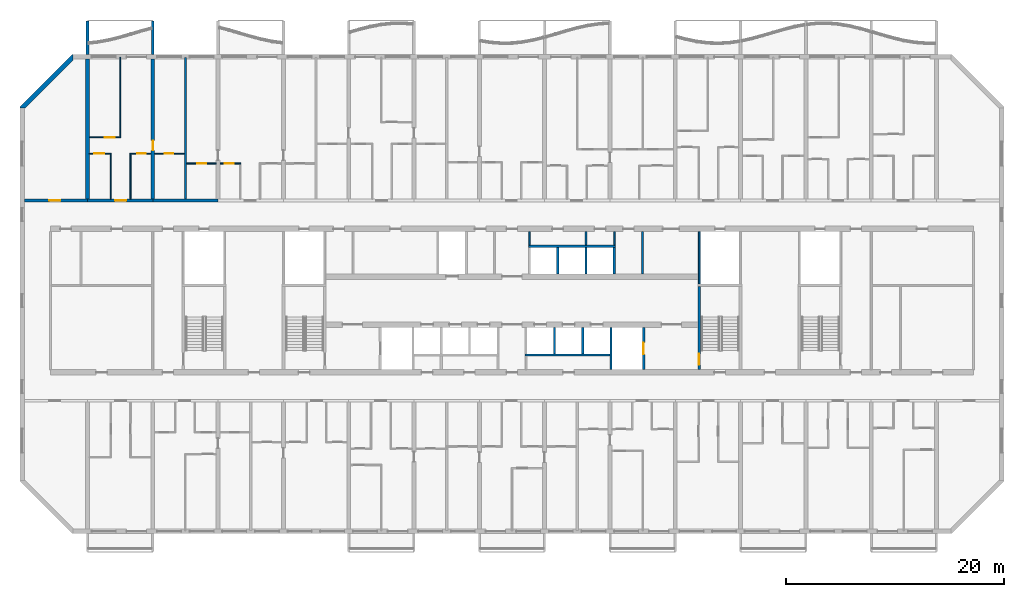
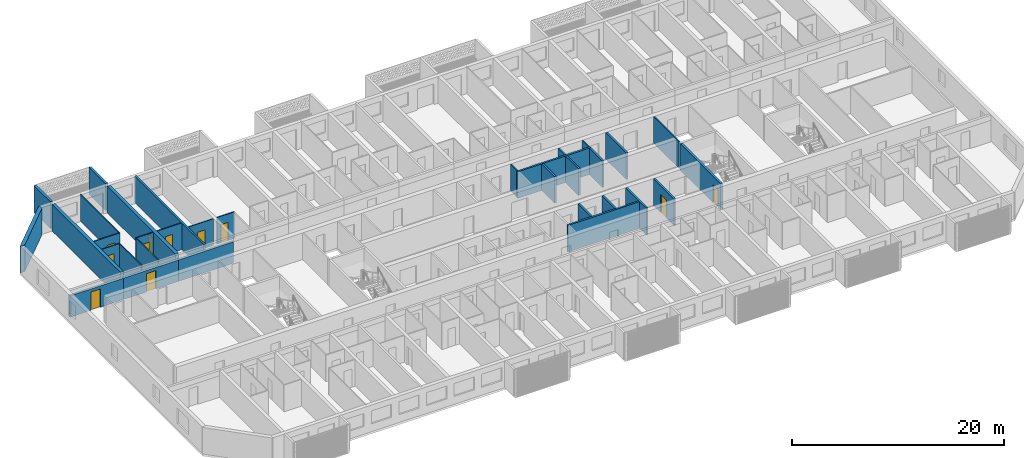
# One storey, part 9 of 27: 33 walls, 11 doors, 11 openings.
"""IFC4 building model written with IfcOpenShell, lengths in metres."""

from ifc_helpers import new_model, si_unit, direction, frame, frame_2d, origin, place, context, subcontext, project, spatial, polyline, rectangle, outline, extrude, source, transform, mapped, material, layer, layer_set, type_object, element, fill, save


model = new_model("IFC4")

# Units and contexts
model_context = context("Model", 3, precision=1e-05, world=origin(), true_north=direction((0.0, 1.0)))
body_context = subcontext(model_context, "Body", "Model", "MODEL_VIEW")
ifc_project = project(units=[si_unit("LENGTHUNIT", "METRE"), si_unit("AREAUNIT", "SQUARE_METRE"), si_unit("VOLUMEUNIT", "CUBIC_METRE"), si_unit("PLANEANGLEUNIT", "RADIAN"), si_unit("MASSUNIT", "GRAM", prefix="KILO")], contexts=[model_context])

# Site, building, storey
site_placement = place(None, origin())
site = spatial("IfcSite", under=ifc_project, at=site_placement, CompositionType="ELEMENT")
building_placement = place(site_placement, origin())
building = spatial("IfcBuilding", under=site, at=building_placement, Name="Poui Terraces", CompositionType="ELEMENT")
storey_placement = place(building_placement, frame((0.0, 0.0, 92.699951171875)))
storey = spatial("IfcBuildingStorey", under=building, at=storey_placement, Name="L25", CompositionType="ELEMENT", Elevation=92.699951171875)

# Wall
ifc_material_1 = material(Name="Fire-rated plasterboard wall")
ifc_layer_1 = layer(ifc_material_1, 0.14990234375)
ifc_layer_set_1 = layer_set([ifc_layer_1], Name="Fire-rated plasterboard wall")
wall_type_1 = type_object("IfcWallType", Name="CORRIDOR WALL 150", PredefinedType="PARTITIONING", material=ifc_layer_set_1)
wall_1_placement = place(storey_placement, frame((52.60009765625, 26.300048828125, 0.0), z_axis=(0.0, 0.0, 1.0), x_axis=(0.0, 1.0, 0.0)))
element("IfcWall", 1, at=wall_1_placement, inside=storey, type_object=wall_type_1, Name="CORRIDOR WALL 150", PredefinedType="PARTITIONING", context=body_context, shape_type="SweptSolid", body=[
    extrude(rectangle(XDim=1.239990234375, YDim=0.14990234375, at=frame_2d((0.6201171875, 0.0))), origin(), (0.0, 0.0, 1.0), 3.06005859375),
])

# Wall, opening, door
ifc_material_2 = material(Name="Concrete 65 MPa", Category="concrete")
ifc_layer_2 = layer(ifc_material_2, 0.25)
ifc_layer_set_2 = layer_set([ifc_layer_2], Name="Concrete 65 MPa")
wall_type_2 = type_object("IfcWallType", Name="CORRIDOR WALL 250 65MPa", PredefinedType="SHEAR", material=ifc_layer_set_2)
wall_2_placement = place(storey_placement, frame((6.199951171875, 30.39990234375, 0.0), z_axis=(0.0, 0.0, 1.0), x_axis=(1.0, 0.0, 0.0)))
wall_2 = element("IfcWall", 2, at=wall_2_placement, inside=storey, type_object=wall_type_2, Name="CORRIDOR WALL LINE E BAY 1", PredefinedType="SHEAR", context=body_context, shape_type="SweptSolid", body=[
    extrude(rectangle(XDim=5.800048828125, YDim=0.25, at=frame_2d((2.89990234375, 0.0))), origin(), (0.0, 0.0, 1.0), 2.4599609375),
])
opening_1_placement = place(wall_2_placement, frame((2.300048828125, 0.0, 0.0)))
opening_1 = element("IfcOpeningElement", 3, at=opening_1_placement, cuts=wall_2, Name="Opening D100", PredefinedType="OPENING", context=body_context, shape_type="SweptSolid", body=[
    extrude(rectangle(XDim=1.0, YDim=2.10009765625, at=frame_2d((0.5, 1.050048828125))), frame((0.0, 0.135009765625, 0.0), z_axis=(0.0, -1.0, 0.0), x_axis=(1.0, 0.0, 0.0)), (0.0, 0.0, 1.0), 0.27001953125),
])
ifc_material_3 = material(Name="Solid core timber door", Category="wood")
door_type_1 = type_object("IfcDoorType", Name="ACCESSIBLE INTERNAL DOOR 1000 X 2100", OperationType="NOTDEFINED", PredefinedType="DOOR", material=ifc_material_3)
door_1_placement = place(opening_1_placement, origin())
door_1 = element("IfcDoor", 4, at=door_1_placement, inside=storey, type_object=door_type_1, Name="ACCESSIBLE INTERNAL DOOR 031", OperationType="SINGLE_SWING_LEFT", OverallHeight=2.10009765625, OverallWidth=1.0, PredefinedType="DOOR", context=body_context, shape_type="SweptSolid", body=[
    extrude(rectangle(XDim=1.0, YDim=2.10009765625, at=frame_2d((0.5, 1.050048828125))), frame((0.0, 0.02490234375, 0.0), z_axis=(0.0, -1.0, 0.0), x_axis=(1.0, 0.0, 0.0)), (0.0, 0.0, 1.0), 0.050048828125),
])
fill(opening_1, door_1)

wall_3_placement = place(storey_placement, frame((12.0, 30.39990234375, 0.0), z_axis=(0.0, 0.0, 1.0), x_axis=(1.0, 0.0, 0.0)))
wall_3 = element("IfcWall", 5, at=wall_3_placement, inside=storey, type_object=wall_type_2, Name="CORRIDOR WALL LINE E BAY 2", PredefinedType="SHEAR", context=body_context, shape_type="SweptSolid", body=[
    extrude(rectangle(XDim=6.0, YDim=0.25, at=frame_2d((3.0, 0.0))), origin(), (0.0, 0.0, 1.0), 2.4599609375),
])
opening_2_placement = place(wall_3_placement, frame((2.550048828125, 0.0, 0.0)))
opening_2 = element("IfcOpeningElement", 6, at=opening_2_placement, cuts=wall_3, Name="Opening FD30S", PredefinedType="OPENING", context=body_context, shape_type="SweptSolid", body=[
    extrude(rectangle(XDim=1.0, YDim=2.10009765625, at=frame_2d((0.5, 1.050048828125))), frame((0.0, 0.135009765625, 0.0), z_axis=(0.0, -1.0, 0.0), x_axis=(1.0, 0.0, 0.0)), (0.0, 0.0, 1.0), 0.27001953125),
])
ifc_material_4 = material(Name="Steel fire door", Category="steel")
door_type_2 = type_object("IfcDoorType", Name="FLAT ENTRANCE DOOR 1000 X 2100", OperationType="NOTDEFINED", PredefinedType="DOOR", material=ifc_material_4)
door_2_placement = place(opening_2_placement, origin())
door_2 = element("IfcDoor", 7, at=door_2_placement, inside=storey, type_object=door_type_2, Name="FLAT ENTRANCE DOOR 035", OperationType="SINGLE_SWING_RIGHT", OverallHeight=2.10009765625, OverallWidth=1.0, PredefinedType="DOOR", context=body_context, shape_type="SweptSolid", body=[
    extrude(rectangle(XDim=1.0, YDim=2.10009765625, at=frame_2d((0.5, 1.050048828125))), frame((0.0, 0.02490234375, 0.0), z_axis=(0.0, -1.0, 0.0), x_axis=(1.0, 0.0, 0.0)), (0.0, 0.0, 1.0), 0.050048828125),
])
fill(opening_2, door_2)

# Walls
wall_4_placement = place(storey_placement, frame((18.0, 30.39990234375, 0.0), z_axis=(0.0, 0.0, 1.0), x_axis=(1.0, 0.0, 0.0)))
element("IfcWall", 8, at=wall_4_placement, inside=storey, type_object=wall_type_2, Name="CORRIDOR WALL LINE E BAY 3", PredefinedType="SHEAR", context=body_context, shape_type="SweptSolid", body=[
    extrude(rectangle(XDim=6.0, YDim=0.25, at=frame_2d((3.0, 0.0))), origin(), (0.0, 0.0, 1.0), 2.4599609375),
])
ifc_layer_3 = layer(ifc_material_2, 0.35009765625)
ifc_layer_set_3 = layer_set([ifc_layer_3], Name="Concrete 65 MPa")
wall_type_3 = type_object("IfcWallType", Name="CROSS WALL 350 65MPa", PredefinedType="SHEAR", material=ifc_layer_set_3)
wall_5_placement = place(storey_placement, frame((12.0, 30.52490234375, 0.0), z_axis=(0.0, 0.0, 1.0), x_axis=(0.0, 1.0, 0.0)))
element("IfcWall", 9, at=wall_5_placement, inside=storey, type_object=wall_type_3, Name="CROSS WALL LINE 3 NORTH", PredefinedType="SHEAR", context=body_context, shape_type="SweptSolid", body=[
    extrude(rectangle(XDim=12.875, YDim=0.35009765625, at=frame_2d((6.4375, 0.0))), origin(), (0.0, 0.0, 1.0), 3.06005859375),
])

# Wall, opening, door
wall_6_placement = place(storey_placement, frame((18.0, 30.52490234375, 0.0), z_axis=(0.0, 0.0, 1.0), x_axis=(0.0, 1.0, 0.0)))
wall_6 = element("IfcWall", 10, at=wall_6_placement, inside=storey, type_object=wall_type_3, Name="CROSS WALL LINE 4 NORTH", PredefinedType="SHEAR", context=body_context, shape_type="SweptSolid", body=[
    extrude(rectangle(XDim=12.875, YDim=0.35009765625, at=frame_2d((6.4375, 0.0))), origin(), (0.0, 0.0, 1.0), 3.06005859375),
])
opening_3_placement = place(wall_6_placement, frame((4.47509765625, 0.0, 0.0)))
opening_3 = element("IfcOpeningElement", 11, at=opening_3_placement, cuts=wall_6, Name="Opening D90", PredefinedType="OPENING", context=body_context, shape_type="SweptSolid", body=[
    extrude(rectangle(XDim=0.89990234375, YDim=2.10009765625, at=frame_2d((0.449951171875, 1.050048828125))), frame((0.0, 0.18505859375, 0.0), z_axis=(0.0, -1.0, 0.0), x_axis=(1.0, 0.0, 0.0)), (0.0, 0.0, 1.0), 0.3701171875),
])
door_type_3 = type_object("IfcDoorType", Name="INTERNAL DOOR 900 X 2100", OperationType="NOTDEFINED", PredefinedType="DOOR", material=ifc_material_3)
door_3_placement = place(opening_3_placement, frame((0.89990234375, 0.0, 0.0), z_axis=(0.0, 0.0, 1.0), x_axis=(-1.0, 0.0, 0.0)))
door_3 = element("IfcDoor", 12, at=door_3_placement, inside=storey, type_object=door_type_3, Name="INTERNAL DOOR 037", OperationType="SINGLE_SWING_RIGHT", OverallHeight=2.10009765625, OverallWidth=0.89990234375, PredefinedType="DOOR", context=body_context, shape_type="SweptSolid", body=[
    extrude(rectangle(XDim=0.89990234375, YDim=2.10009765625, at=frame_2d((0.449951171875, 1.050048828125))), frame((0.0, 0.02490234375, 0.0), z_axis=(0.0, -1.0, 0.0), x_axis=(1.0, 0.0, 0.0)), (0.0, 0.0, 1.0), 0.050048828125),
])
fill(opening_3, door_3)

ifc_material_5 = material(Name="Plasterboard partition")
ifc_layer_4 = layer(ifc_material_5, 0.10009765625)
ifc_layer_set_4 = layer_set([ifc_layer_4], Name="Plasterboard partition")
wall_type_4 = type_object("IfcWallType", Name="FLAT PARTITION 100", PredefinedType="PARTITIONING", material=ifc_layer_set_4)
wall_7_placement = place(storey_placement, frame((21.10009765625, 33.800048828125, 0.0), z_axis=(0.0, 0.0, 1.0), x_axis=(1.0, 0.0, 0.0)))
wall_7 = element("IfcWall", 13, at=wall_7_placement, inside=storey, type_object=wall_type_4, Name="FLAT PARTITION 100", PredefinedType="PARTITIONING", context=body_context, shape_type="SweptSolid", body=[
    extrude(rectangle(XDim=2.71484375, YDim=0.10009765625, at=frame_2d((1.357421875, 0.0))), origin(), (0.0, 0.0, 1.0), 3.06005859375),
])
opening_4_placement = place(wall_7_placement, frame((1.0, 0.0, 0.0)))
opening_4 = element("IfcOpeningElement", 14, at=opening_4_placement, cuts=wall_7, Name="Opening D80", PredefinedType="OPENING", context=body_context, shape_type="SweptSolid", body=[
    extrude(rectangle(XDim=0.800048828125, YDim=2.10009765625, at=frame_2d((0.39990234375, 1.050048828125))), frame((0.0, 0.06005859375, 0.0), z_axis=(0.0, -1.0, 0.0), x_axis=(1.0, 0.0, 0.0)), (0.0, 0.0, 1.0), 0.1201171875),
])
door_type_4 = type_object("IfcDoorType", Name="BATHROOM, LAUNDRY AND STORE DOOR 800 X 2100", OperationType="NOTDEFINED", PredefinedType="DOOR", material=ifc_material_3)
door_4_placement = place(opening_4_placement, frame((0.800048828125, 0.0, 0.0), z_axis=(0.0, 0.0, 1.0), x_axis=(-1.0, 0.0, 0.0)))
door_4 = element("IfcDoor", 15, at=door_4_placement, inside=storey, type_object=door_type_4, Name="BATHROOM, LAUNDRY AND STORE DOOR 038", OperationType="SINGLE_SWING_RIGHT", OverallHeight=2.10009765625, OverallWidth=0.800048828125, PredefinedType="DOOR", context=body_context, shape_type="SweptSolid", body=[
    extrude(rectangle(XDim=0.800048828125, YDim=2.10009765625, at=frame_2d((0.39990234375, 1.050048828125))), frame((0.0, 0.02490234375, 0.0), z_axis=(0.0, -1.0, 0.0), x_axis=(1.0, 0.0, 0.0)), (0.0, 0.0, 1.0), 0.050048828125),
])
fill(opening_4, door_4)

wall_8_placement = place(storey_placement, frame((24.18505859375, 33.800048828125, 0.0), z_axis=(0.0, 0.0, 1.0), x_axis=(1.0, 0.0, 0.0)))
wall_8 = element("IfcWall", 16, at=wall_8_placement, inside=storey, type_object=wall_type_4, Name="FLAT PARTITION 100", PredefinedType="PARTITIONING", context=body_context, shape_type="SweptSolid", body=[
    extrude(rectangle(XDim=1.9150390625, YDim=0.10009765625, at=frame_2d((0.95751953125, 0.0))), origin(), (0.0, 0.0, 1.0), 3.06005859375),
])
opening_5_placement = place(wall_8_placement, frame((0.43994140625, 0.0, 0.0)))
opening_5 = element("IfcOpeningElement", 17, at=opening_5_placement, cuts=wall_8, Name="Opening D80", PredefinedType="OPENING", context=body_context, shape_type="SweptSolid", body=[
    extrude(rectangle(XDim=0.800048828125, YDim=2.10009765625, at=frame_2d((0.39990234375, 1.050048828125))), frame((0.0, 0.06005859375, 0.0), z_axis=(0.0, -1.0, 0.0), x_axis=(1.0, 0.0, 0.0)), (0.0, 0.0, 1.0), 0.1201171875),
])
door_5_placement = place(opening_5_placement, frame((0.800048828125, 0.0, 0.0), z_axis=(0.0, 0.0, 1.0), x_axis=(-1.0, 0.0, 0.0)))
door_5 = element("IfcDoor", 18, at=door_5_placement, inside=storey, type_object=door_type_4, Name="BATHROOM, LAUNDRY AND STORE DOOR 041", OperationType="SINGLE_SWING_LEFT", OverallHeight=2.10009765625, OverallWidth=0.800048828125, PredefinedType="DOOR", context=body_context, shape_type="SweptSolid", body=[
    extrude(rectangle(XDim=0.800048828125, YDim=2.10009765625, at=frame_2d((0.39990234375, 1.050048828125))), frame((0.0, 0.02490234375, 0.0), z_axis=(0.0, -1.0, 0.0), x_axis=(1.0, 0.0, 0.0)), (0.0, 0.0, 1.0), 0.050048828125),
])
fill(opening_5, door_5)

wall_9_placement = place(storey_placement, frame((12.18505859375, 34.699951171875, 0.0), z_axis=(0.0, 0.0, 1.0), x_axis=(1.0, 0.0, 0.0)))
wall_9 = element("IfcWall", 19, at=wall_9_placement, inside=storey, type_object=wall_type_4, Name="FLAT PARTITION 100", PredefinedType="PARTITIONING", context=body_context, shape_type="SweptSolid", body=[
    extrude(rectangle(XDim=2.014892578125, YDim=0.10009765625, at=frame_2d((1.00732421875, 0.0))), origin(), (0.0, 0.0, 1.0), 3.06005859375),
])
opening_6_placement = place(wall_9_placement, frame((0.43994140625, 0.0, 0.0)))
opening_6 = element("IfcOpeningElement", 20, at=opening_6_placement, cuts=wall_9, Name="Opening D90", PredefinedType="OPENING", context=body_context, shape_type="SweptSolid", body=[
    extrude(rectangle(XDim=0.89990234375, YDim=2.10009765625, at=frame_2d((0.449951171875, 1.050048828125))), frame((0.0, 0.06005859375, 0.0), z_axis=(0.0, -1.0, 0.0), x_axis=(1.0, 0.0, 0.0)), (0.0, 0.0, 1.0), 0.1201171875),
])
door_6_placement = place(opening_6_placement, frame((0.89990234375, 0.0, 0.0), z_axis=(0.0, 0.0, 1.0), x_axis=(-1.0, 0.0, 0.0)))
door_6 = element("IfcDoor", 21, at=door_6_placement, inside=storey, type_object=door_type_3, Name="INTERNAL DOOR 033", OperationType="SINGLE_SWING_LEFT", OverallHeight=2.10009765625, OverallWidth=0.89990234375, PredefinedType="DOOR", context=body_context, shape_type="SweptSolid", body=[
    extrude(rectangle(XDim=0.89990234375, YDim=2.10009765625, at=frame_2d((0.449951171875, 1.050048828125))), frame((0.0, 0.02490234375, 0.0), z_axis=(0.0, -1.0, 0.0), x_axis=(1.0, 0.0, 0.0)), (0.0, 0.0, 1.0), 0.050048828125),
])
fill(opening_6, door_6)

wall_10_placement = place(storey_placement, frame((15.89990234375, 34.699951171875, 0.0), z_axis=(0.0, 0.0, 1.0), x_axis=(1.0, 0.0, 0.0)))
wall_10 = element("IfcWall", 22, at=wall_10_placement, inside=storey, type_object=wall_type_4, Name="FLAT PARTITION 100", PredefinedType="PARTITIONING", context=body_context, shape_type="SweptSolid", body=[
    extrude(rectangle(XDim=1.9150390625, YDim=0.10009765625, at=frame_2d((0.95751953125, 0.0))), origin(), (0.0, 0.0, 1.0), 3.06005859375),
])
opening_7_placement = place(wall_10_placement, frame((0.675048828125, 0.0, 0.0)))
opening_7 = element("IfcOpeningElement", 23, at=opening_7_placement, cuts=wall_10, Name="Opening D80", PredefinedType="OPENING", context=body_context, shape_type="SweptSolid", body=[
    extrude(rectangle(XDim=0.800048828125, YDim=2.10009765625, at=frame_2d((0.39990234375, 1.050048828125))), frame((0.0, 0.06005859375, 0.0), z_axis=(0.0, -1.0, 0.0), x_axis=(1.0, 0.0, 0.0)), (0.0, 0.0, 1.0), 0.1201171875),
])
door_7_placement = place(opening_7_placement, frame((0.800048828125, 0.0, 0.0), z_axis=(0.0, 0.0, 1.0), x_axis=(-1.0, 0.0, 0.0)))
door_7 = element("IfcDoor", 24, at=door_7_placement, inside=storey, type_object=door_type_4, Name="BATHROOM, LAUNDRY AND STORE DOOR 036", OperationType="SINGLE_SWING_RIGHT", OverallHeight=2.10009765625, OverallWidth=0.800048828125, PredefinedType="DOOR", context=body_context, shape_type="SweptSolid", body=[
    extrude(rectangle(XDim=0.800048828125, YDim=2.10009765625, at=frame_2d((0.39990234375, 1.050048828125))), frame((0.0, 0.02490234375, 0.0), z_axis=(0.0, -1.0, 0.0), x_axis=(1.0, 0.0, 0.0)), (0.0, 0.0, 1.0), 0.050048828125),
])
fill(opening_7, door_7)

wall_11_placement = place(storey_placement, frame((18.18505859375, 34.699951171875, 0.0), z_axis=(0.0, 0.0, 1.0), x_axis=(1.0, 0.0, 0.0)))
wall_11 = element("IfcWall", 25, at=wall_11_placement, inside=storey, type_object=wall_type_4, Name="FLAT PARTITION 100", PredefinedType="PARTITIONING", context=body_context, shape_type="SweptSolid", body=[
    extrude(rectangle(XDim=2.71484375, YDim=0.10009765625, at=frame_2d((1.357421875, 0.0))), origin(), (0.0, 0.0, 1.0), 3.06005859375),
])
opening_8_placement = place(wall_11_placement, frame((0.9150390625, 0.0, 0.0)))
opening_8 = element("IfcOpeningElement", 26, at=opening_8_placement, cuts=wall_11, Name="Opening D80", PredefinedType="OPENING", context=body_context, shape_type="SweptSolid", body=[
    extrude(rectangle(XDim=0.800048828125, YDim=2.10009765625, at=frame_2d((0.39990234375, 1.050048828125))), frame((0.0, 0.06005859375, 0.0), z_axis=(0.0, -1.0, 0.0), x_axis=(1.0, 0.0, 0.0)), (0.0, 0.0, 1.0), 0.1201171875),
])
door_8_placement = place(opening_8_placement, frame((0.800048828125, 0.0, 0.0), z_axis=(0.0, 0.0, 1.0), x_axis=(-1.0, 0.0, 0.0)))
door_8 = element("IfcDoor", 27, at=door_8_placement, inside=storey, type_object=door_type_4, Name="BATHROOM, LAUNDRY AND STORE DOOR 032", OperationType="SINGLE_SWING_LEFT", OverallHeight=2.10009765625, OverallWidth=0.800048828125, PredefinedType="DOOR", context=body_context, shape_type="SweptSolid", body=[
    extrude(rectangle(XDim=0.800048828125, YDim=2.10009765625, at=frame_2d((0.39990234375, 1.050048828125))), frame((0.0, 0.02490234375, 0.0), z_axis=(0.0, -1.0, 0.0), x_axis=(1.0, 0.0, 0.0)), (0.0, 0.0, 1.0), 0.050048828125),
])
fill(opening_8, door_8)

wall_12_placement = place(storey_placement, frame((12.18505859375, 36.199951171875, 0.0), z_axis=(0.0, 0.0, 1.0), x_axis=(1.0, 0.0, 0.0)))
wall_12 = element("IfcWall", 28, at=wall_12_placement, inside=storey, type_object=wall_type_4, Name="FLAT PARTITION 100", PredefinedType="PARTITIONING", context=body_context, shape_type="SweptSolid", body=[
    extrude(rectangle(XDim=2.864990234375, YDim=0.10009765625, at=frame_2d((1.4326171875, 0.0))), origin(), (0.0, 0.0, 1.0), 3.06005859375),
])
opening_9_placement = place(wall_12_placement, frame((1.4150390625, 0.0, 0.0)))
opening_9 = element("IfcOpeningElement", 29, at=opening_9_placement, cuts=wall_12, Name="Opening D90", PredefinedType="OPENING", context=body_context, shape_type="SweptSolid", body=[
    extrude(rectangle(XDim=0.89990234375, YDim=2.10009765625, at=frame_2d((0.449951171875, 1.050048828125))), frame((0.0, 0.06005859375, 0.0), z_axis=(0.0, -1.0, 0.0), x_axis=(1.0, 0.0, 0.0)), (0.0, 0.0, 1.0), 0.1201171875),
])
door_9_placement = place(opening_9_placement, frame((0.89990234375, 0.0, 0.0), z_axis=(0.0, 0.0, 1.0), x_axis=(-1.0, 0.0, 0.0)))
door_9 = element("IfcDoor", 30, at=door_9_placement, inside=storey, type_object=door_type_3, Name="INTERNAL DOOR 034", OperationType="SINGLE_SWING_RIGHT", OverallHeight=2.10009765625, OverallWidth=0.89990234375, PredefinedType="DOOR", context=body_context, shape_type="SweptSolid", body=[
    extrude(rectangle(XDim=0.89990234375, YDim=2.10009765625, at=frame_2d((0.449951171875, 1.050048828125))), frame((0.0, 0.02490234375, 0.0), z_axis=(0.0, -1.0, 0.0), x_axis=(1.0, 0.0, 0.0)), (0.0, 0.0, 1.0), 0.050048828125),
])
fill(opening_9, door_9)

# Walls
wall_13_placement = place(storey_placement, frame((14.14990234375, 30.534912109375, 0.0), z_axis=(0.0, 0.0, 1.0), x_axis=(0.0, 1.0, 0.0)))
element("IfcWall", 31, at=wall_13_placement, inside=storey, type_object=wall_type_4, Name="FLAT PARTITION 100", PredefinedType="PARTITIONING", context=body_context, shape_type="SweptSolid", body=[
    extrude(rectangle(XDim=4.114990234375, YDim=0.10009765625, at=frame_2d((2.0576171875, 0.0))), origin(), (0.0, 0.0, 1.0), 3.06005859375),
])
wall_14_placement = place(storey_placement, frame((15.0, 36.25, 0.0), z_axis=(0.0, 0.0, 1.0), x_axis=(0.0, 1.0, 0.0)))
element("IfcWall", 32, at=wall_14_placement, inside=storey, type_object=wall_type_4, Name="FLAT PARTITION 100", PredefinedType="PARTITIONING", context=body_context, shape_type="SweptSolid", body=[
    extrude(rectangle(XDim=7.2900390625, YDim=0.10009765625, at=frame_2d((3.64501953125, 0.0))), origin(), (0.0, 0.0, 1.0), 3.06005859375),
])
wall_15_placement = place(storey_placement, frame((15.949951171875, 30.534912109375, 0.0), z_axis=(0.0, 0.0, 1.0), x_axis=(0.0, 1.0, 0.0)))
element("IfcWall", 33, at=wall_15_placement, inside=storey, type_object=wall_type_4, Name="FLAT PARTITION 100", PredefinedType="PARTITIONING", context=body_context, shape_type="SweptSolid", body=[
    extrude(rectangle(XDim=4.114990234375, YDim=0.10009765625, at=frame_2d((2.0576171875, 0.0))), origin(), (0.0, 0.0, 1.0), 3.06005859375),
])
ifc_material_6 = material(Name="Fire-rated masonry wall", Category="masonry")
ifc_layer_5 = layer(ifc_material_6, 0.199951171875)
ifc_layer_set_5 = layer_set([ifc_layer_5], Name="Fire-rated masonry wall")
wall_type_5 = type_object("IfcWallType", Name="FLAT PARTY WALL 200", PredefinedType="PARTITIONING", material=ifc_layer_set_5)
wall_16_placement = place(storey_placement, frame((21.0, 30.534912109375, 0.0), z_axis=(0.0, 0.0, 1.0), x_axis=(0.0, 1.0, 0.0)))
element("IfcWall", 34, at=wall_16_placement, inside=storey, type_object=wall_type_5, Name="FLAT PARTY WALL 200", PredefinedType="PARTITIONING", context=body_context, shape_type="SweptSolid", body=[
    extrude(rectangle(XDim=13.005126953125, YDim=0.199951171875, at=frame_2d((6.50244140625, 0.0))), origin(), (0.0, 0.0, 1.0), 3.06005859375),
])
ifc_layer_6 = layer(ifc_material_5, 0.14990234375)
ifc_layer_set_6 = layer_set([ifc_layer_6], Name="Plasterboard partition")
wall_type_6 = type_object("IfcWallType", Name="PARTITION WALL 150", PredefinedType="PARTITIONING", material=ifc_layer_set_6)
for number, where, z_axis, x_axis, name in (
    (35, (57.800048828125, 26.300048828125, 0.0), (0.0, 0.0, 1.0), (0.0, 1.0, 0.0), "PARTITION WALL 150"),
    (36, (60.39990234375, 26.300048828125, 0.0), (0.0, 0.0, 1.0), (0.0, 1.0, 0.0), "PARTITION WALL 150"),
):
    element("IfcWall", number, at=place(storey_placement, frame(where, z_axis=z_axis, x_axis=x_axis)), inside=storey, type_object=wall_type_6, Name=name, PredefinedType="PARTITIONING", context=body_context, shape_type="SweptSolid", body=[
        extrude(rectangle(XDim=1.239990234375, YDim=0.14990234375, at=frame_2d((0.6201171875, 0.0))), origin(), (0.0, 0.0, 1.0), 3.06005859375),
    ])
ifc_layer_7 = layer(ifc_material_6, 0.199951171875)
ifc_layer_set_7 = layer_set([ifc_layer_7], Name="Fire-rated masonry wall")
wall_type_7 = type_object("IfcWallType", Name="PLANT ROOM WALL 200", PredefinedType="PARTITIONING", material=ifc_layer_set_7)
wall_17_placement = place(storey_placement, frame((63.0, 23.659912109375, 0.0), z_axis=(0.0, 0.0, 1.0), x_axis=(0.0, 1.0, 0.0)))
element("IfcWall", 37, at=wall_17_placement, inside=storey, type_object=wall_type_7, Name="PLANT ROOM WALL 200", PredefinedType="PARTITIONING", context=body_context, shape_type="SweptSolid", body=[
    extrude(rectangle(XDim=3.880126953125, YDim=0.199951171875, at=frame_2d((1.93994140625, 0.0))), origin(), (0.0, 0.0, 1.0), 3.06005859375),
])
ifc_material_7 = material(Name="Fire-rated plasterboard riser wall")
ifc_layer_8 = layer(ifc_material_7, 0.14990234375)
ifc_layer_set_8 = layer_set([ifc_layer_8], Name="Fire-rated plasterboard riser wall")
wall_type_8 = type_object("IfcWallType", Name="RISER WALL 150", PredefinedType="PARTITIONING", material=ifc_layer_set_8)
wall_18_placement = place(storey_placement, frame((68.199951171875, 22.735107421875, 0.0), z_axis=(0.0, 0.0, 1.0), x_axis=(0.0, 1.0, 0.0)))
element("IfcWall", 38, at=wall_18_placement, inside=storey, type_object=wall_type_8, Name="RISER WALL 150", PredefinedType="PARTITIONING", context=body_context, shape_type="SweptSolid", body=[
    extrude(rectangle(XDim=4.804931640625, YDim=0.14990234375, at=frame_2d((2.40234375, 0.0))), origin(), (0.0, 0.0, 1.0), 3.06005859375),
])
ifc_material_8 = material(Name="Fire-rated masonry shaft wall", Category="masonry")
ifc_layer_9 = layer(ifc_material_8, 0.199951171875)
ifc_layer_set_9 = layer_set([ifc_layer_9], Name="Fire-rated masonry shaft wall")
wall_type_9 = type_object("IfcWallType", Name="SHAFT WALL 200", PredefinedType="PARTITIONING", material=ifc_layer_set_9)
wall_19_placement = place(storey_placement, frame((52.199951171875, 16.199951171875, 0.0), z_axis=(0.0, 0.0, 1.0), x_axis=(1.0, 0.0, 0.0)))
element("IfcWall", 39, at=wall_19_placement, inside=storey, type_object=wall_type_9, Name="SHAFT WALL 200", PredefinedType="PARTITIONING", context=body_context, shape_type="SweptSolid", body=[
    extrude(rectangle(XDim=7.800048828125, YDim=0.199951171875, at=frame_2d((3.89990234375, 0.0))), origin(), (0.0, 0.0, 1.0), 3.06005859375),
])
wall_20_placement = place(storey_placement, frame((52.5, 26.199951171875, 0.0), z_axis=(0.0, 0.0, 1.0), x_axis=(1.0, 0.0, 0.0)))
element("IfcWall", 40, at=wall_20_placement, inside=storey, type_object=wall_type_9, Name="SHAFT WALL 200", PredefinedType="PARTITIONING", context=body_context, shape_type="SweptSolid", body=[
    extrude(rectangle(XDim=8.0, YDim=0.199951171875, at=frame_2d((4.0, 0.0))), origin(), (0.0, 0.0, 1.0), 3.06005859375),
])
wall_21_placement = place(storey_placement, frame((54.89990234375, 16.300048828125, 0.0), z_axis=(0.0, 0.0, 1.0), x_axis=(0.0, 1.0, 0.0)))
element("IfcWall", 41, at=wall_21_placement, inside=storey, type_object=wall_type_9, Name="SHAFT WALL 200", PredefinedType="PARTITIONING", context=body_context, shape_type="SweptSolid", body=[
    extrude(rectangle(XDim=2.43994140625, YDim=0.199951171875, at=frame_2d((1.219970703125, 0.0))), origin(), (0.0, 0.0, 1.0), 3.06005859375),
])
wall_22_placement = place(storey_placement, frame((55.199951171875, 23.659912109375, 0.0), z_axis=(0.0, 0.0, 1.0), x_axis=(0.0, 1.0, 0.0)))
element("IfcWall", 42, at=wall_22_placement, inside=storey, type_object=wall_type_9, Name="SHAFT WALL 200", PredefinedType="PARTITIONING", context=body_context, shape_type="SweptSolid", body=[
    extrude(rectangle(XDim=2.440185546875, YDim=0.199951171875, at=frame_2d((1.22021484375, 0.0))), origin(), (0.0, 0.0, 1.0), 3.06005859375),
])
wall_23_placement = place(storey_placement, frame((57.5, 16.300048828125, 0.0), z_axis=(0.0, 0.0, 1.0), x_axis=(0.0, 1.0, 0.0)))
element("IfcWall", 43, at=wall_23_placement, inside=storey, type_object=wall_type_9, Name="SHAFT WALL 200", PredefinedType="PARTITIONING", context=body_context, shape_type="SweptSolid", body=[
    extrude(rectangle(XDim=2.43994140625, YDim=0.199951171875, at=frame_2d((1.219970703125, 0.0))), origin(), (0.0, 0.0, 1.0), 3.06005859375),
])
wall_24_placement = place(storey_placement, frame((57.800048828125, 23.659912109375, 0.0), z_axis=(0.0, 0.0, 1.0), x_axis=(0.0, 1.0, 0.0)))
element("IfcWall", 44, at=wall_24_placement, inside=storey, type_object=wall_type_9, Name="SHAFT WALL 200", PredefinedType="PARTITIONING", context=body_context, shape_type="SweptSolid", body=[
    extrude(rectangle(XDim=2.440185546875, YDim=0.199951171875, at=frame_2d((1.22021484375, 0.0))), origin(), (0.0, 0.0, 1.0), 3.06005859375),
])
wall_25_placement = place(storey_placement, frame((60.10009765625, 14.860107421875, 0.0), z_axis=(0.0, 0.0, 1.0), x_axis=(0.0, 1.0, 0.0)))
element("IfcWall", 45, at=wall_25_placement, inside=storey, type_object=wall_type_9, Name="SHAFT WALL 200", PredefinedType="PARTITIONING", context=body_context, shape_type="SweptSolid", body=[
    extrude(rectangle(XDim=3.8798828125, YDim=0.199951171875, at=frame_2d((1.93994140625, 0.0))), origin(), (0.0, 0.0, 1.0), 3.06005859375),
])
wall_26_placement = place(storey_placement, frame((60.39990234375, 23.659912109375, 0.0), z_axis=(0.0, 0.0, 1.0), x_axis=(0.0, 1.0, 0.0)))
element("IfcWall", 46, at=wall_26_placement, inside=storey, type_object=wall_type_9, Name="SHAFT WALL 200", PredefinedType="PARTITIONING", context=body_context, shape_type="SweptSolid", body=[
    extrude(rectangle(XDim=2.440185546875, YDim=0.199951171875, at=frame_2d((1.22021484375, 0.0))), origin(), (0.0, 0.0, 1.0), 3.06005859375),
])

# Wall, opening, door
wall_27_placement = place(storey_placement, frame((63.10009765625, 14.860107421875, 0.0), z_axis=(0.0, 0.0, 1.0), x_axis=(0.0, 1.0, 0.0)))
wall_27 = element("IfcWall", 47, at=wall_27_placement, inside=storey, type_object=wall_type_9, Name="SHAFT WALL 200", PredefinedType="PARTITIONING", context=body_context, shape_type="SweptSolid", body=[
    extrude(rectangle(XDim=3.8798828125, YDim=0.199951171875, at=frame_2d((1.93994140625, 0.0))), origin(), (0.0, 0.0, 1.0), 3.06005859375),
])
opening_10_placement = place(wall_27_placement, frame((1.389892578125, 0.0, 0.0)))
opening_10 = element("IfcOpeningElement", 48, at=opening_10_placement, cuts=wall_27, Name="Opening LD", PredefinedType="OPENING", context=body_context, shape_type="SweptSolid", body=[
    extrude(rectangle(XDim=1.10009765625, YDim=2.10009765625, at=frame_2d((0.550048828125, 1.050048828125))), frame((0.0, 0.10986328125, 0.0), z_axis=(0.0, -1.0, 0.0), x_axis=(1.0, 0.0, 0.0)), (0.0, 0.0, 1.0), 0.219970703125),
])
ifc_material_9 = material(Name="Stainless steel sliding door", Category="steel")
door_type_5 = type_object("IfcDoorType", Name="LIFT LANDING DOOR 1100 X 2100", OperationType="DOUBLE_DOOR_SLIDING", PredefinedType="DOOR", material=ifc_material_9)
door_10_placement = place(opening_10_placement, origin())
door_10 = element("IfcDoor", 49, at=door_10_placement, inside=storey, type_object=door_type_5, Name="LANDING DOOR", OperationType="DOUBLE_DOOR_SLIDING", OverallHeight=2.10009765625, OverallWidth=1.10009765625, PredefinedType="DOOR", context=body_context, shape_type="SweptSolid", body=[
    extrude(rectangle(XDim=1.10009765625, YDim=2.10009765625, at=frame_2d((0.550048828125, 1.050048828125))), frame((0.0, 0.02490234375, 0.0), z_axis=(0.0, -1.0, 0.0), x_axis=(1.0, 0.0, 0.0)), (0.0, 0.0, 1.0), 0.050048828125),
])
fill(opening_10, door_10)

ifc_layer_10 = layer(ifc_material_2, 0.25)
ifc_layer_set_10 = layer_set([ifc_layer_10], Name="Concrete 65 MPa")
wall_type_10 = type_object("IfcWallType", Name="STAIR CORE WALL 250 65 MPA", PredefinedType="SOLIDWALL", material=ifc_layer_set_10)
wall_28_placement = place(storey_placement, frame((68.199951171875, 14.85009765625, 0.0), z_axis=(0.0, 0.0, 1.0), x_axis=(0.0, 1.0, 0.0)))
wall_28 = element("IfcWall", 50, at=wall_28_placement, inside=storey, type_object=wall_type_10, Name="STAIR CORE WALL", PredefinedType="SOLIDWALL", context=body_context, shape_type="SweptSolid", body=[
    extrude(rectangle(XDim=7.625, YDim=0.25, at=frame_2d((3.8125, 0.0))), origin(), (0.0, 0.0, 1.0), 3.06005859375),
])
opening_11_placement = place(wall_28_placement, frame((0.449951171875, 0.0, 0.0)))
opening_11 = element("IfcOpeningElement", 51, at=opening_11_placement, cuts=wall_28, Name="Opening FD60S", PredefinedType="OPENING", context=body_context, shape_type="SweptSolid", body=[
    extrude(rectangle(XDim=1.0, YDim=2.10009765625, at=frame_2d((0.5, 1.050048828125))), frame((0.0, 0.135009765625, 0.0), z_axis=(0.0, -1.0, 0.0), x_axis=(1.0, 0.0, 0.0)), (0.0, 0.0, 1.0), 0.27001953125),
])
door_type_6 = type_object("IfcDoorType", Name="STAIR DOOR 1000 X 2100", OperationType="NOTDEFINED", PredefinedType="DOOR", material=ifc_material_4)
door_11_placement = place(opening_11_placement, frame((1.0, 0.0, 0.0), z_axis=(0.0, 0.0, 1.0), x_axis=(-1.0, 0.0, 0.0)))
door_11 = element("IfcDoor", 52, at=door_11_placement, inside=storey, type_object=door_type_6, Name="STAIR DOOR 133", OperationType="SINGLE_SWING_LEFT", OverallHeight=2.10009765625, OverallWidth=1.0, PredefinedType="DOOR", context=body_context, shape_type="SweptSolid", body=[
    extrude(rectangle(XDim=1.0, YDim=2.10009765625, at=frame_2d((0.5, 1.050048828125))), frame((0.0, 0.02490234375, 0.0), z_axis=(0.0, -1.0, 0.0), x_axis=(1.0, 0.0, 0.0)), (0.0, 0.0, 1.0), 0.050048828125),
])
fill(opening_11, door_11)

# Walls
ifc_material_10 = material(Name="Precast concrete 40 MPa", Category="concrete")
ifc_layer_11 = layer(ifc_material_10, 0.39990234375)
ifc_layer_set_11 = layer_set([ifc_layer_11], Name="Precast concrete 40 MPa")
wall_type_11 = type_object("IfcWallType", Name="TERRACOTTA CLAD CHAMFER WALL 400", PredefinedType="STANDARD", material=ifc_layer_set_11)
wall_29_placement = place(storey_placement, origin())
element("IfcWall", 53, at=wall_29_placement, inside=storey, type_object=wall_type_11, Name="CHAMFER WALL CH05", PredefinedType="STANDARD", context=body_context, shape_type="SweptSolid", body=[
    extrude(outline(polyline([(10.682861328125, 43.800048828125), (10.60009765625, 43.800048828125), (5.800048828125, 39.0), (5.800048828125, 38.917236328125), (6.28271484375, 38.917236328125), (10.682861328125, 43.317138671875), (10.682861328125, 43.800048828125)])), origin(), (0.0, 0.0, 1.0), 3.06005859375),
])
ifc_layer_12 = layer(ifc_material_10, 0.25)
ifc_layer_set_12 = layer_set([ifc_layer_12], Name="Precast concrete 40 MPa")
wall_type_12 = type_object("IfcWallType", Name="BALCONY FIN 250", PredefinedType="STANDARD", material=ifc_layer_set_12)
shared_shape = source(origin(), body_context, "Body", "SweptSolid", [
    extrude(outline(polyline([(0.0, 0.0), (0.25, 0.0), (0.25, 3.099853515625), (0.0, 3.099853515625), (0.0, 0.0)])), origin(), (0.0, 0.0, 1.0), 3.10009765625),
])
for number, where, name in (
    (54, (11.875, 43.800048828125, 0.0), "BALCONY FIN"),
    (55, (17.875, 43.800048828125, 0.0), "BALCONY FIN"),
):
    element("IfcWall", number, at=place(storey_placement, frame(where)), inside=storey, type_object=wall_type_12, Name=name, PredefinedType="STANDARD", context=body_context, shape_type="MappedRepresentation", body=[
        mapped(shared_shape, transform((0.0, 0.0, 0.0))),
    ])

save(model, "model.ifc")
